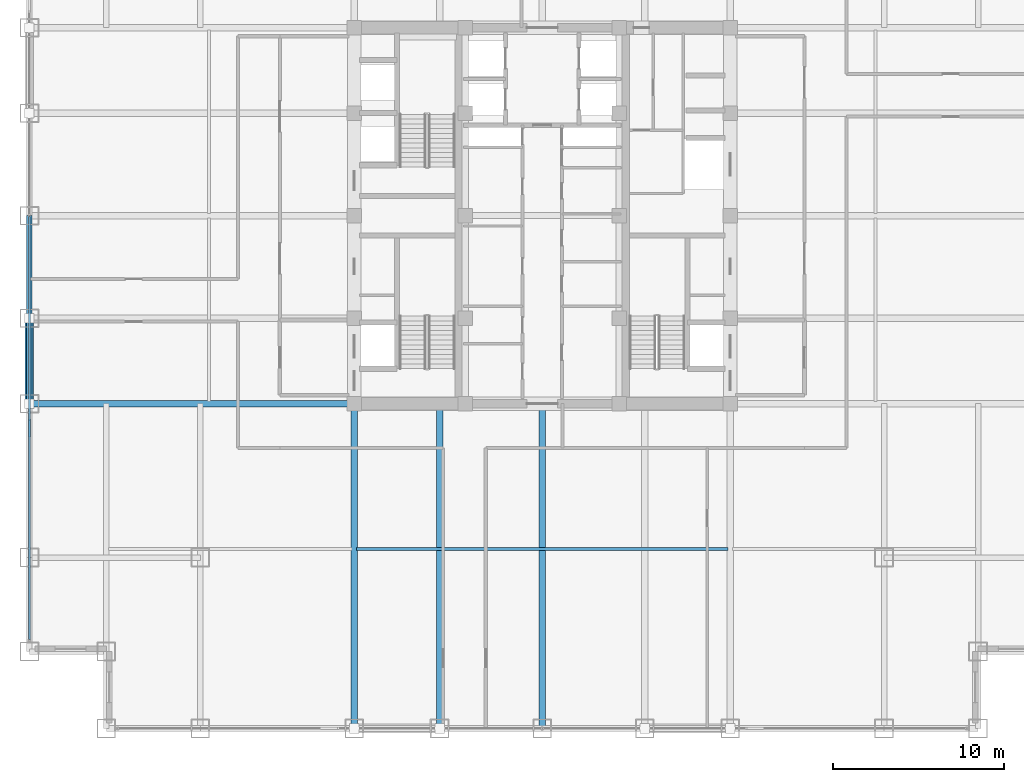
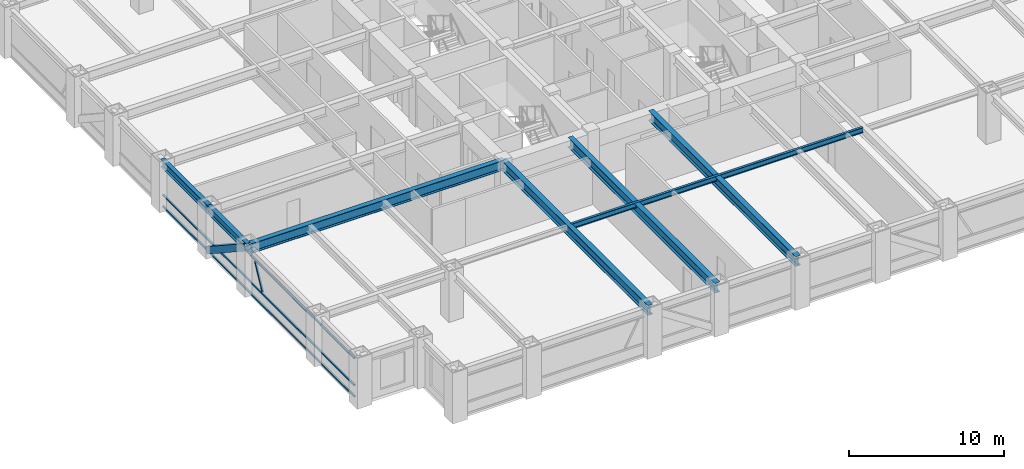
# One storey, part 5 of 24: 7 beams, 5 members, 1 element without a shape of its own.
"""IFC4 building model written with IfcOpenShell, lengths in metres."""

from ifc_helpers import new_model, si_unit, direction, frame, origin, origin_2d, place, context, subcontext, project, spatial, hollow_rectangle, i_section, extrude, source, transform, mapped, material, material_profile, profile_set, type_object, element, aggregate, save


model = new_model("IFC4")

# Units and contexts
model_context = context("Model", 3, precision=1e-05, world=origin(), true_north=direction((0.0, 1.0)))
body_context = subcontext(model_context, "Body", "Model", "MODEL_VIEW")
ifc_project = project(units=[si_unit("LENGTHUNIT", "METRE"), si_unit("AREAUNIT", "SQUARE_METRE"), si_unit("VOLUMEUNIT", "CUBIC_METRE"), si_unit("PLANEANGLEUNIT", "RADIAN"), si_unit("MASSUNIT", "GRAM", prefix="KILO")], contexts=[model_context])

# Site, building, storey
site_placement = place(None, origin())
site = spatial("IfcSite", under=ifc_project, at=site_placement, CompositionType="ELEMENT")
building_placement = place(site_placement, origin())
building = spatial("IfcBuilding", under=site, at=building_placement, Name="Khorayat Bourse Tower", CompositionType="ELEMENT")
storey_placement = place(building_placement, frame((0.0, 0.0, 167.10009765625)))
storey = spatial("IfcBuildingStorey", under=building, at=storey_placement, Name="L38", CompositionType="ELEMENT", Elevation=167.10009765625)

# Beams
ifc_material_1 = material(Name="Steel ASTM A992 Grade 50", Category="steel")
ifc_material_profile_1 = material_profile(ifc_material_1, i_section(OverallWidth=0.381103515625, OverallDepth=0.77294921875, WebThickness=0.0166015625, FlangeThickness=0.027587890625, FilletRadius=0.01806640625, at=origin_2d()), Name="W760X257")
ifc_profile_set_1 = profile_set([ifc_material_profile_1], Name="Steel ASTM A992 Grade 50")
beam_type_1 = type_object("IfcBeamType", Name="BM-GIRD-760", PredefinedType="BEAM", material=ifc_profile_set_1)
shared_shape_1 = source(origin(), body_context, "Body", "SweptSolid", [
    extrude(i_section(OverallWidth=0.381103515625, OverallDepth=0.77294921875, WebThickness=0.0166015625, FlangeThickness=0.027587890625, FilletRadius=0.01806640625, at=origin_2d()), origin(), (0.0, 0.0, 1.0), 19.0),
])
for number, where, z_axis, x_axis, name in (
    (1, (-11.0, -30.0, 3.393310546875), (0.0, 1.0, 0.0), (-1.0, 0.0, 0.0), "L38 BM-GIRD-760 BM-L38-RADY-065"),
    (2, (-6.0, -30.0, 3.393310546875), (0.0, 1.0, 0.0), (-1.0, 0.0, 0.0), "L38 BM-GIRD-760 BM-L38-RADY-067"),
    (3, (0.0, -30.0, 3.393310546875), (0.0, 1.0, 0.0), (-1.0, 0.0, 0.0), "L38 BM-GIRD-760 BM-L38-RADY-069"),
    (4, (-30.0, -11.0, 3.393310546875), (1.0, 0.0, 0.0), (0.0, 1.0, 0.0), "L38 BM-GIRD-760 BM-L38-RADX-075"),
):
    element("IfcBeam", number, at=place(storey_placement, frame(where, z_axis=z_axis, x_axis=x_axis)), inside=storey, type_object=beam_type_1, Name=name, PredefinedType="BEAM", context=body_context, shape_type="MappedRepresentation", body=[
        mapped(shared_shape_1, transform((0.0, 0.0, 0.0), scale=1.0)),
    ])
ifc_material_profile_2 = material_profile(ifc_material_1, i_section(OverallWidth=0.180908203125, OverallDepth=0.4169921875, WebThickness=0.010986328125, FlangeThickness=0.018310546875, FilletRadius=0.011962890625, at=origin_2d()), Name="W410X85")
ifc_profile_set_2 = profile_set([ifc_material_profile_2], Name="Steel ASTM A992 Grade 50")
beam_type_2 = type_object("IfcBeamType", Name="BM-JOIST-410", PredefinedType="JOIST", material=ifc_profile_set_2)
shared_shape_2 = source(origin(), body_context, "Body", "SweptSolid", [
    extrude(i_section(OverallWidth=0.180908203125, OverallDepth=0.4169921875, WebThickness=0.010986328125, FlangeThickness=0.018310546875, FilletRadius=0.011962890625, at=origin_2d()), origin(), (0.0, 0.0, 1.0), 21.740234375),
])
beam_1_placement = place(storey_placement, frame((-10.8701171875, -19.5, 3.5712890625), z_axis=(1.0, 0.0, 0.0), x_axis=(0.0, 1.0, 0.0)))
element("IfcBeam", 5, at=beam_1_placement, inside=storey, type_object=beam_type_2, Name="L38 BM-JOIST-410 BM-L38-JSTX-097", PredefinedType="JOIST", context=body_context, shape_type="MappedRepresentation", body=[
    mapped(shared_shape_2, transform((0.0, 0.0, 0.0), scale=1.0)),
])
ifc_material_profile_3 = material_profile(ifc_material_1, i_section(OverallWidth=0.324951171875, OverallDepth=0.615966796875, WebThickness=0.013916015625, FlangeThickness=0.021484375, FilletRadius=0.01611328125, at=origin_2d()), Name="W610X174")
ifc_profile_set_3 = profile_set([ifc_material_profile_3], Name="Steel ASTM A992 Grade 50")
beam_type_3 = type_object("IfcBeamType", Name="BM-SPAN-610", PredefinedType="SPANDREL", material=ifc_profile_set_3)
shared_shape_3 = source(origin(), body_context, "Body", "SweptSolid", [
    extrude(i_section(OverallWidth=0.324951171875, OverallDepth=0.615966796875, WebThickness=0.013916015625, FlangeThickness=0.021484375, FilletRadius=0.01611328125, at=origin_2d()), origin(), (0.0, 0.0, 1.0), 5.0),
])
beam_2_placement = place(storey_placement, frame((-30.0, -11.0, 3.471923828125), z_axis=(0.0, 1.0, 0.0), x_axis=(-1.0, 0.0, 0.0)))
element("IfcBeam", 6, at=beam_2_placement, inside=storey, type_object=beam_type_3, Name="L38 BM-SPAN-610 BM-L38-SPN-059", PredefinedType="SPANDREL", context=body_context, shape_type="MappedRepresentation", body=[
    mapped(shared_shape_3, transform((0.0, 0.0, 0.0), scale=1.0)),
])
shared_shape_4 = source(origin(), body_context, "Body", "SweptSolid", [
    extrude(i_section(OverallWidth=0.324951171875, OverallDepth=0.615966796875, WebThickness=0.013916015625, FlangeThickness=0.021484375, FilletRadius=0.01611328125, at=origin_2d()), origin(), (0.0, 0.0, 1.0), 6.0),
])
beam_3_placement = place(storey_placement, frame((-30.0, -6.0, 3.471923828125), z_axis=(0.0, 1.0, 0.0), x_axis=(-1.0, 0.0, 0.0)))
element("IfcBeam", 7, at=beam_3_placement, inside=storey, type_object=beam_type_3, Name="L38 BM-SPAN-610 BM-L38-SPN-058", PredefinedType="SPANDREL", context=body_context, shape_type="MappedRepresentation", body=[
    mapped(shared_shape_4, transform((0.0, 0.0, 0.0), scale=1.0)),
])

# Member
ifc_material_2 = material(Name="Steel EN 10025-4 S460M", Category="steel")
ifc_material_profile_4 = material_profile(ifc_material_2, hollow_rectangle(XDim=0.5, YDim=0.5, WallThickness=0.028076171875, at=origin_2d()), Name="HSS 500x500x28")
ifc_profile_set_4 = profile_set([ifc_material_profile_4], Name="Steel EN 10025-4 S460M")
member_type_1 = type_object("IfcMemberType", Name="MBR-TUBE-500", PredefinedType="BRACE", material=ifc_profile_set_4)
shared_shape_5 = source(origin(), body_context, "Body", "SweptSolid", [
    extrude(hollow_rectangle(XDim=0.5, YDim=0.5, WallThickness=0.028076171875, at=origin_2d()), origin(), (0.0, 0.0, 1.0), 5.979736328125),
])
member_1_placement = place(storey_placement, frame((-30.0, -11.0, 3.52978515625), z_axis=(0.0, 0.836160261256, -0.548485202623), x_axis=(-1.0, 0.0, 0.0)))
element("IfcMember", 8, at=member_1_placement, inside=storey, type_object=member_type_1, Name="L38 Perimeter Tube Brace 05", PredefinedType="BRACE", context=body_context, shape_type="MappedRepresentation", body=[
    mapped(shared_shape_5, transform((0.0, 0.0, 0.0), scale=1.0)),
])

# Curtain wall, members
ifc_material_3 = material(Name="Aluminium EN AW-6063 T6", Category="aluminium")
curtain_wall_type = type_object("IfcCurtainWallType", Name="CW-SYS-03", PredefinedType="NOTDEFINED", material=ifc_material_3)
curtain_wall_placement = place(storey_placement, origin())
curtain_wall = element("IfcCurtainWall", 9, at=curtain_wall_placement, inside=storey, type_object=curtain_wall_type, Name="L38 Curtain Wall CW-L38-W1", PredefinedType="NOTDEFINED")
ifc_material_profile_5 = material_profile(ifc_material_3, hollow_rectangle(XDim=0.1201171875, YDim=0.1201171875, WallThickness=0.0048828125, at=origin_2d()), Name="ALU 120x120x5")
ifc_profile_set_5 = profile_set([ifc_material_profile_5], Name="Aluminium EN AW-6063 T6")
member_type_2 = type_object("IfcMemberType", Name="CWM-DIAG-120", PredefinedType="MULLION", material=ifc_profile_set_5)
shared_shape_6 = source(origin(), body_context, "Body", "SweptSolid", [
    extrude(hollow_rectangle(XDim=0.1201171875, YDim=0.1201171875, WallThickness=0.0048828125, at=origin_2d()), origin(), (0.0, 0.0, 1.0), 2.079345703125),
])
member_2_placement = place(storey_placement, frame((-30.0, -12.904296875, 1.08984375), z_axis=(0.0, 0.465760949701, 0.884910581773), x_axis=(-1.0, 0.0, 0.0)))
member_2 = element("IfcMember", 10, at=member_2_placement, type_object=member_type_2, Name="CW-L38-W1 Faceted Diagonal Mullion 1", PredefinedType="MULLION", context=body_context, shape_type="MappedRepresentation", body=[
    mapped(shared_shape_6, transform((0.0, 0.0, 0.0), scale=1.0)),
])
ifc_material_profile_6 = material_profile(ifc_material_3, hollow_rectangle(XDim=0.1201171875, YDim=0.1201171875, WallThickness=0.0048828125, at=origin_2d()), Name="ALU 120x120x5")
ifc_profile_set_6 = profile_set([ifc_material_profile_6], Name="Aluminium EN AW-6063 T6")
member_type_3 = type_object("IfcMemberType", Name="CWT-HORZ-120", PredefinedType="USERDEFINED", material=ifc_profile_set_6)
shared_shape_7 = source(origin(), body_context, "Body", "SweptSolid", [
    extrude(hollow_rectangle(XDim=0.1201171875, YDim=0.1201171875, WallThickness=0.0048828125, at=origin_2d()), origin(), (0.0, 0.0, 1.0), 24.719970703125),
])
member_3_placement = place(storey_placement, frame((-30.0, -24.780029296875, 0.059814453125), z_axis=(0.0, 1.0, 0.0), x_axis=(-1.0, 0.0, 0.0)))
member_3 = element("IfcMember", 11, at=member_3_placement, type_object=member_type_3, Name="CW-L38-W1 Horizontal Transom 1-1", ObjectType="TRANSOM", PredefinedType="USERDEFINED", context=body_context, shape_type="MappedRepresentation", body=[
    mapped(shared_shape_7, transform((0.0, 0.0, 0.0), scale=1.0)),
])
member_4_placement = place(storey_placement, frame((-30.0, -24.780029296875, 0.949951171875), z_axis=(0.0, 1.0, 0.0), x_axis=(-1.0, 0.0, 0.0)))
member_4 = element("IfcMember", 12, at=member_4_placement, type_object=member_type_3, Name="CW-L38-W1 Horizontal Transom 1-2", ObjectType="TRANSOM", PredefinedType="USERDEFINED", context=body_context, shape_type="MappedRepresentation", body=[
    mapped(shared_shape_7, transform((0.0, 0.0, 0.0), scale=1.0)),
])
member_5_placement = place(storey_placement, frame((-30.0, -24.780029296875, 3.06982421875), z_axis=(0.0, 1.0, 0.0), x_axis=(-1.0, 0.0, 0.0)))
member_5 = element("IfcMember", 13, at=member_5_placement, type_object=member_type_3, Name="CW-L38-W1 Horizontal Transom 1-3", ObjectType="TRANSOM", PredefinedType="USERDEFINED", context=body_context, shape_type="MappedRepresentation", body=[
    mapped(shared_shape_7, transform((0.0, 0.0, 0.0), scale=1.0)),
])
aggregate(curtain_wall, [member_3, member_4, member_5, member_2])

save(model, "model.ifc")
